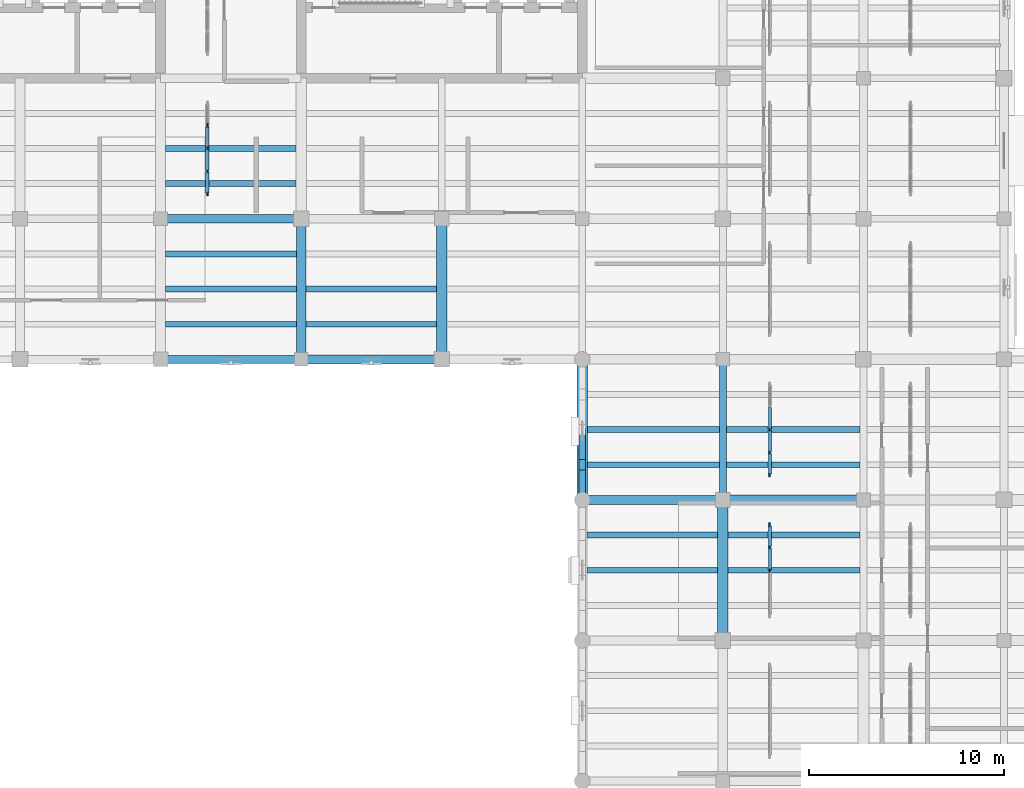
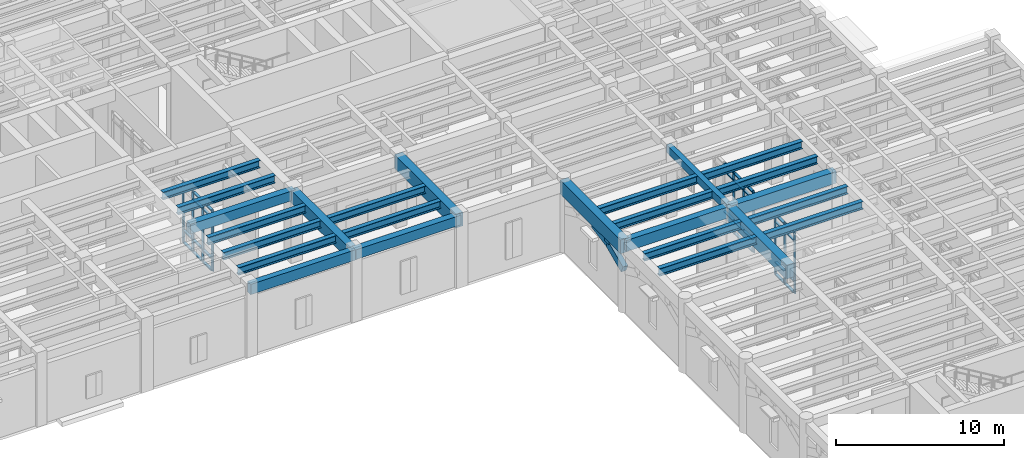
# One storey, part 41 of 100: 43 members, 25 beams, 3 elements without a shape of their own.
"""IFC4 building model written with IfcOpenShell, lengths in metres."""

from ifc_helpers import new_model, si_unit, direction, frame, origin, origin_2d, place, context, subcontext, project, spatial, rectangle, i_section, extrude, material, material_profile, profile_set, type_object, element, aggregate, save


model = new_model("IFC4")

# Units and contexts
model_context = context("Model", 3, precision=1e-05, world=origin(), true_north=direction((0.0, 1.0)))
body_context = subcontext(model_context, "Body", "Model", "MODEL_VIEW")
ifc_project = project(units=[si_unit("LENGTHUNIT", "METRE"), si_unit("AREAUNIT", "SQUARE_METRE"), si_unit("VOLUMEUNIT", "CUBIC_METRE"), si_unit("PLANEANGLEUNIT", "RADIAN"), si_unit("MASSUNIT", "GRAM", prefix="KILO")], contexts=[model_context])

# Site, building, storey
site_placement = place(None, origin())
site = spatial("IfcSite", under=ifc_project, at=site_placement, CompositionType="ELEMENT")
building_placement = place(site_placement, origin())
building = spatial("IfcBuilding", under=site, at=building_placement, Name="Mithqara Police Headquarters", CompositionType="ELEMENT")
storey_placement = place(building_placement, origin())
storey = spatial("IfcBuildingStorey", under=building, at=storey_placement, Name="L00", CompositionType="ELEMENT", Elevation=0.0)

# Members
ifc_material_1 = material(Name="Concrete C50/60", Category="concrete")
ifc_material_profile_1 = material_profile(ifc_material_1, rectangle(XDim=0.35009765625, YDim=0.550048828125, at=origin_2d()), Name="ARC 350x550")
ifc_profile_set_1 = profile_set([ifc_material_profile_1], Name="Concrete C50/60")
member_type_1 = type_object("IfcMemberType", Name="ARCH SEG 350X550", PredefinedType="STRUT", material=ifc_profile_set_1)
member_1_placement = place(storey_placement, frame((144.60009765625, 71.39990234375, 2.949951171875), z_axis=(0.0, 0.911312261811, 0.411715874691), x_axis=(-1.0, 0.0, 0.0)))
element("IfcMember", 1, at=member_1_placement, inside=storey, type_object=member_type_1, Name="East Courtyard Cloister Bay 6 Ottoman Arch Chord 1", PredefinedType="STRUT", context=body_context, shape_type="SweptSolid", body=[
    extrude(rectangle(XDim=0.35009765625, YDim=0.550048828125, at=origin_2d()), origin(), (0.0, 0.0, 1.0), 1.975341796875),
])
member_2_placement = place(storey_placement, frame((144.60009765625, 73.199951171875, 3.76318359375), z_axis=(0.0, 0.982930996603, 0.183974606715), x_axis=(-1.0, 0.0, 0.0)))
element("IfcMember", 2, at=member_2_placement, inside=storey, type_object=member_type_1, Name="East Courtyard Cloister Bay 6 Ottoman Arch Chord 2", PredefinedType="STRUT", context=body_context, shape_type="SweptSolid", body=[
    extrude(rectangle(XDim=0.35009765625, YDim=0.550048828125, at=origin_2d()), origin(), (0.0, 0.0, 1.0), 1.831298828125),
])
member_3_placement = place(storey_placement, frame((144.60009765625, 73.199951171875, 3.76318359375), z_axis=(0.0, 0.0, 1.0), x_axis=(1.0, 0.0, 0.0)))
element("IfcMember", 3, at=member_3_placement, inside=storey, type_object=member_type_1, Name="East Courtyard Cloister Bay 6 Arch Spandrel Post 1", PredefinedType="STRUT", context=body_context, shape_type="SweptSolid", body=[
    extrude(rectangle(XDim=0.35009765625, YDim=0.550048828125, at=origin_2d()), origin(), (0.0, 0.0, 1.0), 0.85693359375),
])

# Beams
ifc_material_2 = material(Name="Steel S355JR", Category="steel")
ifc_material_profile_2 = material_profile(ifc_material_2, i_section(OverallWidth=0.300048828125, OverallDepth=0.550048828125, WebThickness=0.014892578125, FlangeThickness=0.029052734375, FilletRadius=0.027099609375, at=origin_2d()), Name="HEB 550")
ifc_profile_set_2 = profile_set([ifc_material_profile_2], Name="Steel S355JR")
beam_type_1 = type_object("IfcBeamType", Name="BEAM HEB550", PredefinedType="BEAM", material=ifc_profile_set_2)
for number, where, z_axis, x_axis, name in (
    (4, (123.25, 80.39990234375, 4.844970703125), (1.0, 0.0, 0.0), (0.0, 1.0, 0.0), "L00 Composite Steel Joist 18-19/M.1"),
    (5, (123.25, 82.199951171875, 4.844970703125), (1.0, 0.0, 0.0), (0.0, 1.0, 0.0), "L00 Composite Steel Joist 18-19/M.2"),
    (6, (123.25, 84.0, 4.844970703125), (1.0, 0.0, 0.0), (0.0, 1.0, 0.0), "L00 Composite Steel Joist 18-19/M.3"),
):
    element("IfcBeam", number, at=place(storey_placement, frame(where, z_axis=z_axis, x_axis=x_axis)), inside=storey, type_object=beam_type_1, Name=name, PredefinedType="BEAM", context=body_context, shape_type="SweptSolid", body=[
        extrude(i_section(OverallWidth=0.300048828125, OverallDepth=0.550048828125, WebThickness=0.014892578125, FlangeThickness=0.029052734375, FilletRadius=0.027099609375, at=origin_2d()), origin(), (0.0, 0.0, 1.0), 6.699951171875),
    ])
for number, where, z_axis, x_axis, name in (
    (7, (123.25, 87.60009765625, 4.844970703125), (1.0, 0.0, 0.0), (0.0, 1.0, 0.0), "L00 Composite Steel Joist 18-19/N.1"),
    (8, (123.25, 89.39990234375, 4.844970703125), (1.0, 0.0, 0.0), (0.0, 1.0, 0.0), "L00 Composite Steel Joist 18-19/N.2"),
    (9, (130.449951171875, 80.39990234375, 4.844970703125), (1.0, 0.0, 0.0), (0.0, 1.0, 0.0), "L00 Composite Steel Joist 19-20/M.1"),
    (10, (130.449951171875, 82.199951171875, 4.844970703125), (1.0, 0.0, 0.0), (0.0, 1.0, 0.0), "L00 Composite Steel Joist 19-20/M.2"),
):
    element("IfcBeam", number, at=place(storey_placement, frame(where, z_axis=z_axis, x_axis=x_axis)), inside=storey, type_object=beam_type_1, Name=name, PredefinedType="BEAM", context=body_context, shape_type="SweptSolid", body=[
        extrude(i_section(OverallWidth=0.300048828125, OverallDepth=0.550048828125, WebThickness=0.014892578125, FlangeThickness=0.029052734375, FilletRadius=0.027099609375, at=origin_2d()), origin(), (0.0, 0.0, 1.0), 6.675048828125),
    ])
for number, where, z_axis, x_axis, name in (
    (11, (144.85009765625, 67.800048828125, 4.844970703125), (1.0, 0.0, 0.0), (0.0, 1.0, 0.0), "L00 Composite Steel Joist 21-22/K.2"),
    (12, (144.85009765625, 69.60009765625, 4.844970703125), (1.0, 0.0, 0.0), (0.0, 1.0, 0.0), "L00 Composite Steel Joist 21-22/K.3"),
):
    element("IfcBeam", number, at=place(storey_placement, frame(where, z_axis=z_axis, x_axis=x_axis)), inside=storey, type_object=beam_type_1, Name=name, PredefinedType="BEAM", context=body_context, shape_type="SweptSolid", body=[
        extrude(i_section(OverallWidth=0.300048828125, OverallDepth=0.550048828125, WebThickness=0.014892578125, FlangeThickness=0.029052734375, FilletRadius=0.027099609375, at=origin_2d()), origin(), (0.0, 0.0, 1.0), 6.6748046875),
    ])
for number, where, z_axis, x_axis, name in (
    (13, (144.875, 73.199951171875, 4.844970703125), (1.0, 0.0, 0.0), (0.0, 1.0, 0.0), "L00 Composite Steel Joist 21-22/L.1"),
    (14, (144.875, 75.0, 4.844970703125), (1.0, 0.0, 0.0), (0.0, 1.0, 0.0), "L00 Composite Steel Joist 21-22/L.2"),
    (15, (152.074951171875, 67.800048828125, 4.844970703125), (1.0, 0.0, 0.0), (0.0, 1.0, 0.0), "L00 Composite Steel Joist 22-23/K.2"),
    (16, (152.074951171875, 69.60009765625, 4.844970703125), (1.0, 0.0, 0.0), (0.0, 1.0, 0.0), "L00 Composite Steel Joist 22-23/K.3"),
):
    element("IfcBeam", number, at=place(storey_placement, frame(where, z_axis=z_axis, x_axis=x_axis)), inside=storey, type_object=beam_type_1, Name=name, PredefinedType="BEAM", context=body_context, shape_type="SweptSolid", body=[
        extrude(i_section(OverallWidth=0.300048828125, OverallDepth=0.550048828125, WebThickness=0.014892578125, FlangeThickness=0.029052734375, FilletRadius=0.027099609375, at=origin_2d()), origin(), (0.0, 0.0, 1.0), 6.75),
    ])
for number, where, z_axis, x_axis, name in (
    (17, (151.97509765625, 73.199951171875, 4.844970703125), (1.0, 0.0, 0.0), (0.0, 1.0, 0.0), "L00 Composite Steel Joist 22-23/L.1"),
    (18, (151.97509765625, 75.0, 4.844970703125), (1.0, 0.0, 0.0), (0.0, 1.0, 0.0), "L00 Composite Steel Joist 22-23/L.2"),
):
    element("IfcBeam", number, at=place(storey_placement, frame(where, z_axis=z_axis, x_axis=x_axis)), inside=storey, type_object=beam_type_1, Name=name, PredefinedType="BEAM", context=body_context, shape_type="SweptSolid", body=[
        extrude(i_section(OverallWidth=0.300048828125, OverallDepth=0.550048828125, WebThickness=0.014892578125, FlangeThickness=0.029052734375, FilletRadius=0.027099609375, at=origin_2d()), origin(), (0.0, 0.0, 1.0), 6.849853515625),
    ])
ifc_material_3 = material(Name="Concrete C40/50", Category="concrete")
ifc_material_profile_3 = material_profile(ifc_material_3, rectangle(XDim=0.35009765625, YDim=0.550048828125, at=origin_2d()), Name="RC 350x550")
ifc_profile_set_3 = profile_set([ifc_material_profile_3], Name="Concrete C40/50")
beam_type_2 = type_object("IfcBeamType", Name="BEAM RC350X550", PredefinedType="BEAM", material=ifc_profile_set_3)
beam_1_placement = place(storey_placement, frame((151.800048828125, 71.39990234375, 4.844970703125), z_axis=(0.0, 1.0, 0.0), x_axis=(-1.0, 0.0, 0.0)))
element("IfcBeam", 19, at=beam_1_placement, inside=storey, type_object=beam_type_2, Name="L00 Girder 22/L-M", PredefinedType="BEAM", context=body_context, shape_type="SweptSolid", body=[
    extrude(rectangle(XDim=0.35009765625, YDim=0.550048828125, at=origin_2d()), origin(), (0.0, 0.0, 1.0), 7.2001953125),
])
ifc_material_profile_4 = material_profile(ifc_material_3, rectangle(XDim=0.39990234375, YDim=0.75, at=origin_2d()), Name="RC 400x750")
ifc_profile_set_4 = profile_set([ifc_material_profile_4], Name="Concrete C40/50")
beam_type_3 = type_object("IfcBeamType", Name="BEAM RC400X750", PredefinedType="BEAM", material=ifc_profile_set_4)
beam_2_placement = place(storey_placement, frame((123.0, 78.60009765625, 4.7451171875), z_axis=(1.0, 0.0, 0.0), x_axis=(0.0, 1.0, 0.0)))
element("IfcBeam", 20, at=beam_2_placement, inside=storey, type_object=beam_type_3, Name="L00 Girder 18-19/M", PredefinedType="BEAM", context=body_context, shape_type="SweptSolid", body=[
    extrude(rectangle(XDim=0.39990234375, YDim=0.75, at=origin_2d()), origin(), (0.0, 0.0, 1.0), 7.199951171875),
])
ifc_material_profile_5 = material_profile(ifc_material_3, rectangle(XDim=0.449951171875, YDim=0.699951171875, at=origin_2d()), Name="RC 450x700")
ifc_profile_set_5 = profile_set([ifc_material_profile_5], Name="Concrete C40/50")
beam_type_4 = type_object("IfcBeamType", Name="BEAM RC450X700", PredefinedType="BEAM", material=ifc_profile_set_5)
for number, where, z_axis, x_axis, name in (
    (21, (123.0, 85.800048828125, 4.77001953125), (1.0, 0.0, 0.0), (0.0, 1.0, 0.0), "L00 Girder 18-19/N"),
    (22, (130.199951171875, 78.60009765625, 4.77001953125), (1.0, 0.0, 0.0), (0.0, 1.0, 0.0), "L00 Girder 19-20/M"),
):
    element("IfcBeam", number, at=place(storey_placement, frame(where, z_axis=z_axis, x_axis=x_axis)), inside=storey, type_object=beam_type_4, Name=name, PredefinedType="BEAM", context=body_context, shape_type="SweptSolid", body=[
        extrude(rectangle(XDim=0.449951171875, YDim=0.699951171875, at=origin_2d()), origin(), (0.0, 0.0, 1.0), 7.199951171875),
    ])
ifc_material_profile_6 = material_profile(ifc_material_3, rectangle(XDim=0.449951171875, YDim=0.800048828125, at=origin_2d()), Name="RC 450x800")
ifc_profile_set_6 = profile_set([ifc_material_profile_6], Name="Concrete C40/50")
beam_type_5 = type_object("IfcBeamType", Name="BEAM RC450X800", PredefinedType="BEAM", material=ifc_profile_set_6)
beam_3_placement = place(storey_placement, frame((144.60009765625, 71.39990234375, 4.719970703125), z_axis=(1.0, 0.0, 0.0), x_axis=(0.0, 1.0, 0.0)))
element("IfcBeam", 23, at=beam_3_placement, inside=storey, type_object=beam_type_5, Name="L00 Girder 21-22/L", PredefinedType="BEAM", context=body_context, shape_type="SweptSolid", body=[
    extrude(rectangle(XDim=0.449951171875, YDim=0.800048828125, at=origin_2d()), origin(), (0.0, 0.0, 1.0), 7.199951171875),
])
ifc_material_profile_7 = material_profile(ifc_material_3, rectangle(XDim=0.5, YDim=0.85009765625, at=origin_2d()), Name="RC 500x850")
ifc_profile_set_7 = profile_set([ifc_material_profile_7], Name="Concrete C40/50")
beam_type_6 = type_object("IfcBeamType", Name="BEAM RC500X850", PredefinedType="BEAM", material=ifc_profile_set_7)
beam_4_placement = place(storey_placement, frame((151.800048828125, 71.39990234375, 4.695068359375), z_axis=(1.0, 0.0, 0.0), x_axis=(0.0, 1.0, 0.0)))
element("IfcBeam", 24, at=beam_4_placement, inside=storey, type_object=beam_type_6, Name="L00 Girder 22-23/L", PredefinedType="BEAM", context=body_context, shape_type="SweptSolid", body=[
    extrude(rectangle(XDim=0.5, YDim=0.85009765625, at=origin_2d()), origin(), (0.0, 0.0, 1.0), 7.199951171875),
])
ifc_material_profile_8 = material_profile(ifc_material_1, rectangle(XDim=0.5, YDim=0.89990234375, at=origin_2d()), Name="RC 500x900")
ifc_profile_set_8 = profile_set([ifc_material_profile_8], Name="Concrete C50/60")
beam_type_7 = type_object("IfcBeamType", Name="BEAM RC500X900", PredefinedType="BEAM", material=ifc_profile_set_8)
beam_5_placement = place(storey_placement, frame((130.199951171875, 78.60009765625, 4.669921875), z_axis=(0.0, 1.0, 0.0), x_axis=(-1.0, 0.0, 0.0)))
element("IfcBeam", 25, at=beam_5_placement, inside=storey, type_object=beam_type_7, Name="L00 Girder 19/M-N", PredefinedType="BEAM", context=body_context, shape_type="SweptSolid", body=[
    extrude(rectangle(XDim=0.5, YDim=0.89990234375, at=origin_2d()), origin(), (0.0, 0.0, 1.0), 7.199951171875),
])
ifc_material_profile_9 = material_profile(ifc_material_1, rectangle(XDim=0.550048828125, YDim=1.0, at=origin_2d()), Name="RC 550x1000")
ifc_profile_set_9 = profile_set([ifc_material_profile_9], Name="Concrete C50/60")
beam_type_8 = type_object("IfcBeamType", Name="BEAM RC550X1000", PredefinedType="BEAM", material=ifc_profile_set_9)
beam_6_placement = place(storey_placement, frame((137.39990234375, 78.60009765625, 4.6201171875), z_axis=(0.0, 1.0, 0.0), x_axis=(-1.0, 0.0, 0.0)))
element("IfcBeam", 26, at=beam_6_placement, inside=storey, type_object=beam_type_8, Name="L00 Girder 20/M-N", PredefinedType="BEAM", context=body_context, shape_type="SweptSolid", body=[
    extrude(rectangle(XDim=0.550048828125, YDim=1.0, at=origin_2d()), origin(), (0.0, 0.0, 1.0), 7.199951171875),
])
beam_7_placement = place(storey_placement, frame((144.60009765625, 71.39990234375, 4.6201171875), z_axis=(0.0, 1.0, 0.0), x_axis=(-1.0, 0.0, 0.0)))
element("IfcBeam", 27, at=beam_7_placement, inside=storey, type_object=beam_type_8, Name="L00 Girder 21/L-M", PredefinedType="BEAM", context=body_context, shape_type="SweptSolid", body=[
    extrude(rectangle(XDim=0.550048828125, YDim=1.0, at=origin_2d()), origin(), (0.0, 0.0, 1.0), 7.2001953125),
])
beam_8_placement = place(storey_placement, frame((151.800048828125, 64.199951171875, 4.6201171875), z_axis=(0.0, 1.0, 0.0), x_axis=(-1.0, 0.0, 0.0)))
element("IfcBeam", 28, at=beam_8_placement, inside=storey, type_object=beam_type_8, Name="L00 Girder 22/K-L", PredefinedType="BEAM", context=body_context, shape_type="SweptSolid", body=[
    extrude(rectangle(XDim=0.550048828125, YDim=1.0, at=origin_2d()), origin(), (0.0, 0.0, 1.0), 7.199951171875),
])

# Curtain wall, members
ifc_material_4 = material(Name="Bronze anodised aluminium 6063-T6", Category="aluminium")
curtain_wall_type = type_object("IfcCurtainWallType", Name="CURTAIN WALL 4700X4400", PredefinedType="USERDEFINED", material=ifc_material_4)
curtain_wall_1_placement = place(storey_placement, origin())
curtain_wall_1 = element("IfcCurtainWall", 29, at=curtain_wall_1_placement, inside=storey, type_object=curtain_wall_type, Name="L00 Unitised Glazing CW-14 (CW-INT-L00-X17-Y12-0)", ObjectType="UNITISED GLAZING", PredefinedType="USERDEFINED")
ifc_material_profile_10 = material_profile(ifc_material_4, rectangle(XDim=0.074951171875, YDim=0.219970703125, at=origin_2d()), Name="CWM 75x220")
ifc_profile_set_10 = profile_set([ifc_material_profile_10], Name="Bronze anodised aluminium 6063-T6")
member_type_2 = type_object("IfcMemberType", Name="CWMULLION 75X220", PredefinedType="MULLION", material=ifc_profile_set_10)
member_4_placement = place(storey_placement, frame((125.39990234375, 87.08740234375, 0.0), z_axis=(0.0, 0.0, 1.0), x_axis=(-1.0, 0.0, 0.0)))
member_4 = element("IfcMember", 30, at=member_4_placement, type_object=member_type_2, Name="CW-14 mullion 1", PredefinedType="MULLION", context=body_context, shape_type="SweptSolid", body=[
    extrude(rectangle(XDim=0.074951171875, YDim=0.219970703125, at=origin_2d()), origin(), (0.0, 0.0, 1.0), 4.39990234375),
])
member_5_placement = place(storey_placement, frame((125.39990234375, 88.22509765625, 0.0), z_axis=(0.0, 0.0, 1.0), x_axis=(-1.0, 0.0, 0.0)))
member_5 = element("IfcMember", 31, at=member_5_placement, type_object=member_type_2, Name="CW-14 mullion 2", PredefinedType="MULLION", context=body_context, shape_type="SweptSolid", body=[
    extrude(rectangle(XDim=0.074951171875, YDim=0.219970703125, at=origin_2d()), origin(), (0.0, 0.0, 1.0), 4.39990234375),
])
member_6_placement = place(storey_placement, frame((125.39990234375, 89.39990234375, 0.0), z_axis=(0.0, 0.0, 1.0), x_axis=(-1.0, 0.0, 0.0)))
member_6 = element("IfcMember", 32, at=member_6_placement, type_object=member_type_2, Name="CW-14 mullion 3", PredefinedType="MULLION", context=body_context, shape_type="SweptSolid", body=[
    extrude(rectangle(XDim=0.074951171875, YDim=0.219970703125, at=origin_2d()), origin(), (0.0, 0.0, 1.0), 4.39990234375),
])
member_7_placement = place(storey_placement, frame((125.39990234375, 90.574951171875, 0.0), z_axis=(0.0, 0.0, 1.0), x_axis=(-1.0, 0.0, 0.0)))
member_7 = element("IfcMember", 33, at=member_7_placement, type_object=member_type_2, Name="CW-14 mullion 4", PredefinedType="MULLION", context=body_context, shape_type="SweptSolid", body=[
    extrude(rectangle(XDim=0.074951171875, YDim=0.219970703125, at=origin_2d()), origin(), (0.0, 0.0, 1.0), 4.39990234375),
])

curtain_wall_2_placement = place(storey_placement, origin())
curtain_wall_2 = element("IfcCurtainWall", 34, at=curtain_wall_2_placement, inside=storey, type_object=curtain_wall_type, Name="L00 Unitised Glazing CW-14 (CW-INT-L00-X21-Y09-0)", ObjectType="UNITISED GLAZING", PredefinedType="USERDEFINED")
member_8_placement = place(storey_placement, frame((154.199951171875, 67.800048828125, 0.0), z_axis=(0.0, 0.0, 1.0), x_axis=(-1.0, 0.0, 0.0)))
member_8 = element("IfcMember", 35, at=member_8_placement, type_object=member_type_2, Name="CW-14 mullion 3", PredefinedType="MULLION", context=body_context, shape_type="SweptSolid", body=[
    extrude(rectangle(XDim=0.074951171875, YDim=0.219970703125, at=origin_2d()), origin(), (0.0, 0.0, 1.0), 4.39990234375),
])
member_9_placement = place(storey_placement, frame((154.199951171875, 68.97509765625, 0.0), z_axis=(0.0, 0.0, 1.0), x_axis=(-1.0, 0.0, 0.0)))
member_9 = element("IfcMember", 36, at=member_9_placement, type_object=member_type_2, Name="CW-14 mullion 4", PredefinedType="MULLION", context=body_context, shape_type="SweptSolid", body=[
    extrude(rectangle(XDim=0.074951171875, YDim=0.219970703125, at=origin_2d()), origin(), (0.0, 0.0, 1.0), 4.39990234375),
])
member_10_placement = place(storey_placement, frame((154.199951171875, 70.112548828125, 0.0), z_axis=(0.0, 0.0, 1.0), x_axis=(-1.0, 0.0, 0.0)))
member_10 = element("IfcMember", 37, at=member_10_placement, type_object=member_type_2, Name="CW-14 mullion 5", PredefinedType="MULLION", context=body_context, shape_type="SweptSolid", body=[
    extrude(rectangle(XDim=0.074951171875, YDim=0.219970703125, at=origin_2d()), origin(), (0.0, 0.0, 1.0), 4.39990234375),
])

curtain_wall_3_placement = place(storey_placement, origin())
curtain_wall_3 = element("IfcCurtainWall", 38, at=curtain_wall_3_placement, inside=storey, type_object=curtain_wall_type, Name="L00 Unitised Glazing CW-14 (CW-INT-L00-X21-Y10-0)", ObjectType="UNITISED GLAZING", PredefinedType="USERDEFINED")
member_11_placement = place(storey_placement, frame((154.199951171875, 72.6875, 0.0), z_axis=(0.0, 0.0, 1.0), x_axis=(-1.0, 0.0, 0.0)))
member_11 = element("IfcMember", 39, at=member_11_placement, type_object=member_type_2, Name="CW-14 mullion 1", PredefinedType="MULLION", context=body_context, shape_type="SweptSolid", body=[
    extrude(rectangle(XDim=0.074951171875, YDim=0.219970703125, at=origin_2d()), origin(), (0.0, 0.0, 1.0), 4.39990234375),
])
member_12_placement = place(storey_placement, frame((154.199951171875, 73.824951171875, 0.0), z_axis=(0.0, 0.0, 1.0), x_axis=(-1.0, 0.0, 0.0)))
member_12 = element("IfcMember", 40, at=member_12_placement, type_object=member_type_2, Name="CW-14 mullion 2", PredefinedType="MULLION", context=body_context, shape_type="SweptSolid", body=[
    extrude(rectangle(XDim=0.074951171875, YDim=0.219970703125, at=origin_2d()), origin(), (0.0, 0.0, 1.0), 4.39990234375),
])
member_13_placement = place(storey_placement, frame((154.199951171875, 75.0, 0.0), z_axis=(0.0, 0.0, 1.0), x_axis=(-1.0, 0.0, 0.0)))
member_13 = element("IfcMember", 41, at=member_13_placement, type_object=member_type_2, Name="CW-14 mullion 3", PredefinedType="MULLION", context=body_context, shape_type="SweptSolid", body=[
    extrude(rectangle(XDim=0.074951171875, YDim=0.219970703125, at=origin_2d()), origin(), (0.0, 0.0, 1.0), 4.39990234375),
])

# Member
ifc_material_profile_11 = material_profile(ifc_material_4, rectangle(XDim=0.179931640625, YDim=0.074951171875, at=origin_2d()), Name="CWT 180x75")
ifc_profile_set_11 = profile_set([ifc_material_profile_11], Name="Bronze anodised aluminium 6063-T6")
member_type_3 = type_object("IfcMemberType", Name="CWTRANSOM 180X75", PredefinedType="USERDEFINED", material=ifc_profile_set_11)
member_14_placement = place(storey_placement, frame((125.39990234375, 87.125, 0.03759765625), z_axis=(0.0, 1.0, 0.0), x_axis=(-1.0, 0.0, 0.0)))
member_14 = element("IfcMember", 42, at=member_14_placement, type_object=member_type_3, Name="CW-14 transom 1.1", ObjectType="TRANSOM", PredefinedType="USERDEFINED", context=body_context, shape_type="SweptSolid", body=[
    extrude(rectangle(XDim=0.179931640625, YDim=0.074951171875, at=origin_2d()), origin(), (0.0, 0.0, 1.0), 1.0625),
])

member_15_placement = place(storey_placement, frame((125.39990234375, 87.125, 0.89990234375), z_axis=(0.0, 1.0, 0.0), x_axis=(-1.0, 0.0, 0.0)))
member_15 = element("IfcMember", 43, at=member_15_placement, type_object=member_type_3, Name="CW-14 transom 1.2", ObjectType="TRANSOM", PredefinedType="USERDEFINED", context=body_context, shape_type="SweptSolid", body=[
    extrude(rectangle(XDim=0.179931640625, YDim=0.074951171875, at=origin_2d()), origin(), (0.0, 0.0, 1.0), 1.0625),
])

member_16_placement = place(storey_placement, frame((125.39990234375, 87.125, 3.85009765625), z_axis=(0.0, 1.0, 0.0), x_axis=(-1.0, 0.0, 0.0)))
member_16 = element("IfcMember", 44, at=member_16_placement, type_object=member_type_3, Name="CW-14 transom 1.3", ObjectType="TRANSOM", PredefinedType="USERDEFINED", context=body_context, shape_type="SweptSolid", body=[
    extrude(rectangle(XDim=0.179931640625, YDim=0.074951171875, at=origin_2d()), origin(), (0.0, 0.0, 1.0), 1.0625),
])

member_17_placement = place(storey_placement, frame((125.39990234375, 87.125, 4.362548828125), z_axis=(0.0, 1.0, 0.0), x_axis=(-1.0, 0.0, 0.0)))
member_17 = element("IfcMember", 45, at=member_17_placement, type_object=member_type_3, Name="CW-14 transom 1.4", ObjectType="TRANSOM", PredefinedType="USERDEFINED", context=body_context, shape_type="SweptSolid", body=[
    extrude(rectangle(XDim=0.179931640625, YDim=0.074951171875, at=origin_2d()), origin(), (0.0, 0.0, 1.0), 1.0625),
])

member_18_placement = place(storey_placement, frame((125.39990234375, 88.262451171875, 0.03759765625), z_axis=(0.0, 1.0, 0.0), x_axis=(-1.0, 0.0, 0.0)))
member_18 = element("IfcMember", 46, at=member_18_placement, type_object=member_type_3, Name="CW-14 transom 2.1", ObjectType="TRANSOM", PredefinedType="USERDEFINED", context=body_context, shape_type="SweptSolid", body=[
    extrude(rectangle(XDim=0.179931640625, YDim=0.074951171875, at=origin_2d()), origin(), (0.0, 0.0, 1.0), 1.10009765625),
])

member_19_placement = place(storey_placement, frame((125.39990234375, 88.262451171875, 0.89990234375), z_axis=(0.0, 1.0, 0.0), x_axis=(-1.0, 0.0, 0.0)))
member_19 = element("IfcMember", 47, at=member_19_placement, type_object=member_type_3, Name="CW-14 transom 2.2", ObjectType="TRANSOM", PredefinedType="USERDEFINED", context=body_context, shape_type="SweptSolid", body=[
    extrude(rectangle(XDim=0.179931640625, YDim=0.074951171875, at=origin_2d()), origin(), (0.0, 0.0, 1.0), 1.10009765625),
])

member_20_placement = place(storey_placement, frame((125.39990234375, 88.262451171875, 3.85009765625), z_axis=(0.0, 1.0, 0.0), x_axis=(-1.0, 0.0, 0.0)))
member_20 = element("IfcMember", 48, at=member_20_placement, type_object=member_type_3, Name="CW-14 transom 2.3", ObjectType="TRANSOM", PredefinedType="USERDEFINED", context=body_context, shape_type="SweptSolid", body=[
    extrude(rectangle(XDim=0.179931640625, YDim=0.074951171875, at=origin_2d()), origin(), (0.0, 0.0, 1.0), 1.10009765625),
])

member_21_placement = place(storey_placement, frame((125.39990234375, 88.262451171875, 4.362548828125), z_axis=(0.0, 1.0, 0.0), x_axis=(-1.0, 0.0, 0.0)))
member_21 = element("IfcMember", 49, at=member_21_placement, type_object=member_type_3, Name="CW-14 transom 2.4", ObjectType="TRANSOM", PredefinedType="USERDEFINED", context=body_context, shape_type="SweptSolid", body=[
    extrude(rectangle(XDim=0.179931640625, YDim=0.074951171875, at=origin_2d()), origin(), (0.0, 0.0, 1.0), 1.10009765625),
])

member_22_placement = place(storey_placement, frame((125.39990234375, 89.4375, 0.03759765625), z_axis=(0.0, 1.0, 0.0), x_axis=(-1.0, 0.0, 0.0)))
member_22 = element("IfcMember", 50, at=member_22_placement, type_object=member_type_3, Name="CW-14 transom 3.1", ObjectType="TRANSOM", PredefinedType="USERDEFINED", context=body_context, shape_type="SweptSolid", body=[
    extrude(rectangle(XDim=0.179931640625, YDim=0.074951171875, at=origin_2d()), origin(), (0.0, 0.0, 1.0), 1.10009765625),
])

member_23_placement = place(storey_placement, frame((125.39990234375, 89.4375, 0.89990234375), z_axis=(0.0, 1.0, 0.0), x_axis=(-1.0, 0.0, 0.0)))
member_23 = element("IfcMember", 51, at=member_23_placement, type_object=member_type_3, Name="CW-14 transom 3.2", ObjectType="TRANSOM", PredefinedType="USERDEFINED", context=body_context, shape_type="SweptSolid", body=[
    extrude(rectangle(XDim=0.179931640625, YDim=0.074951171875, at=origin_2d()), origin(), (0.0, 0.0, 1.0), 1.10009765625),
])

aggregate(curtain_wall_1, [member_4, member_5, member_6, member_7, member_14, member_15, member_16, member_17, member_18, member_19, member_20, member_21, member_22, member_23])

member_24_placement = place(storey_placement, frame((154.199951171875, 67.83740234375, 0.03759765625), z_axis=(0.0, 1.0, 0.0), x_axis=(-1.0, 0.0, 0.0)))
member_24 = element("IfcMember", 52, at=member_24_placement, type_object=member_type_3, Name="CW-14 transom 3.1", ObjectType="TRANSOM", PredefinedType="USERDEFINED", context=body_context, shape_type="SweptSolid", body=[
    extrude(rectangle(XDim=0.179931640625, YDim=0.074951171875, at=origin_2d()), origin(), (0.0, 0.0, 1.0), 1.10009765625),
])

member_25_placement = place(storey_placement, frame((154.199951171875, 67.83740234375, 0.89990234375), z_axis=(0.0, 1.0, 0.0), x_axis=(-1.0, 0.0, 0.0)))
member_25 = element("IfcMember", 53, at=member_25_placement, type_object=member_type_3, Name="CW-14 transom 3.2", ObjectType="TRANSOM", PredefinedType="USERDEFINED", context=body_context, shape_type="SweptSolid", body=[
    extrude(rectangle(XDim=0.179931640625, YDim=0.074951171875, at=origin_2d()), origin(), (0.0, 0.0, 1.0), 1.10009765625),
])

member_26_placement = place(storey_placement, frame((154.199951171875, 67.83740234375, 3.85009765625), z_axis=(0.0, 1.0, 0.0), x_axis=(-1.0, 0.0, 0.0)))
member_26 = element("IfcMember", 54, at=member_26_placement, type_object=member_type_3, Name="CW-14 transom 3.3", ObjectType="TRANSOM", PredefinedType="USERDEFINED", context=body_context, shape_type="SweptSolid", body=[
    extrude(rectangle(XDim=0.179931640625, YDim=0.074951171875, at=origin_2d()), origin(), (0.0, 0.0, 1.0), 1.10009765625),
])

member_27_placement = place(storey_placement, frame((154.199951171875, 67.83740234375, 4.362548828125), z_axis=(0.0, 1.0, 0.0), x_axis=(-1.0, 0.0, 0.0)))
member_27 = element("IfcMember", 55, at=member_27_placement, type_object=member_type_3, Name="CW-14 transom 3.4", ObjectType="TRANSOM", PredefinedType="USERDEFINED", context=body_context, shape_type="SweptSolid", body=[
    extrude(rectangle(XDim=0.179931640625, YDim=0.074951171875, at=origin_2d()), origin(), (0.0, 0.0, 1.0), 1.10009765625),
])

member_28_placement = place(storey_placement, frame((154.199951171875, 69.012451171875, 0.03759765625), z_axis=(0.0, 1.0, 0.0), x_axis=(-1.0, 0.0, 0.0)))
member_28 = element("IfcMember", 56, at=member_28_placement, type_object=member_type_3, Name="CW-14 transom 4.1", ObjectType="TRANSOM", PredefinedType="USERDEFINED", context=body_context, shape_type="SweptSolid", body=[
    extrude(rectangle(XDim=0.179931640625, YDim=0.074951171875, at=origin_2d()), origin(), (0.0, 0.0, 1.0), 1.0625),
])

member_29_placement = place(storey_placement, frame((154.199951171875, 69.012451171875, 0.89990234375), z_axis=(0.0, 1.0, 0.0), x_axis=(-1.0, 0.0, 0.0)))
member_29 = element("IfcMember", 57, at=member_29_placement, type_object=member_type_3, Name="CW-14 transom 4.2", ObjectType="TRANSOM", PredefinedType="USERDEFINED", context=body_context, shape_type="SweptSolid", body=[
    extrude(rectangle(XDim=0.179931640625, YDim=0.074951171875, at=origin_2d()), origin(), (0.0, 0.0, 1.0), 1.0625),
])

member_30_placement = place(storey_placement, frame((154.199951171875, 69.012451171875, 3.85009765625), z_axis=(0.0, 1.0, 0.0), x_axis=(-1.0, 0.0, 0.0)))
member_30 = element("IfcMember", 58, at=member_30_placement, type_object=member_type_3, Name="CW-14 transom 4.3", ObjectType="TRANSOM", PredefinedType="USERDEFINED", context=body_context, shape_type="SweptSolid", body=[
    extrude(rectangle(XDim=0.179931640625, YDim=0.074951171875, at=origin_2d()), origin(), (0.0, 0.0, 1.0), 1.0625),
])

member_31_placement = place(storey_placement, frame((154.199951171875, 69.012451171875, 4.362548828125), z_axis=(0.0, 1.0, 0.0), x_axis=(-1.0, 0.0, 0.0)))
member_31 = element("IfcMember", 59, at=member_31_placement, type_object=member_type_3, Name="CW-14 transom 4.4", ObjectType="TRANSOM", PredefinedType="USERDEFINED", context=body_context, shape_type="SweptSolid", body=[
    extrude(rectangle(XDim=0.179931640625, YDim=0.074951171875, at=origin_2d()), origin(), (0.0, 0.0, 1.0), 1.0625),
])

aggregate(curtain_wall_2, [member_8, member_9, member_10, member_24, member_25, member_26, member_27, member_28, member_29, member_30, member_31])

member_32_placement = place(storey_placement, frame((154.199951171875, 72.72509765625, 0.03759765625), z_axis=(0.0, 1.0, 0.0), x_axis=(-1.0, 0.0, 0.0)))
member_32 = element("IfcMember", 60, at=member_32_placement, type_object=member_type_3, Name="CW-14 transom 1.1", ObjectType="TRANSOM", PredefinedType="USERDEFINED", context=body_context, shape_type="SweptSolid", body=[
    extrude(rectangle(XDim=0.179931640625, YDim=0.074951171875, at=origin_2d()), origin(), (0.0, 0.0, 1.0), 1.0625),
])

member_33_placement = place(storey_placement, frame((154.199951171875, 72.72509765625, 0.89990234375), z_axis=(0.0, 1.0, 0.0), x_axis=(-1.0, 0.0, 0.0)))
member_33 = element("IfcMember", 61, at=member_33_placement, type_object=member_type_3, Name="CW-14 transom 1.2", ObjectType="TRANSOM", PredefinedType="USERDEFINED", context=body_context, shape_type="SweptSolid", body=[
    extrude(rectangle(XDim=0.179931640625, YDim=0.074951171875, at=origin_2d()), origin(), (0.0, 0.0, 1.0), 1.0625),
])

member_34_placement = place(storey_placement, frame((154.199951171875, 72.72509765625, 3.85009765625), z_axis=(0.0, 1.0, 0.0), x_axis=(-1.0, 0.0, 0.0)))
member_34 = element("IfcMember", 62, at=member_34_placement, type_object=member_type_3, Name="CW-14 transom 1.3", ObjectType="TRANSOM", PredefinedType="USERDEFINED", context=body_context, shape_type="SweptSolid", body=[
    extrude(rectangle(XDim=0.179931640625, YDim=0.074951171875, at=origin_2d()), origin(), (0.0, 0.0, 1.0), 1.0625),
])

member_35_placement = place(storey_placement, frame((154.199951171875, 72.72509765625, 4.362548828125), z_axis=(0.0, 1.0, 0.0), x_axis=(-1.0, 0.0, 0.0)))
member_35 = element("IfcMember", 63, at=member_35_placement, type_object=member_type_3, Name="CW-14 transom 1.4", ObjectType="TRANSOM", PredefinedType="USERDEFINED", context=body_context, shape_type="SweptSolid", body=[
    extrude(rectangle(XDim=0.179931640625, YDim=0.074951171875, at=origin_2d()), origin(), (0.0, 0.0, 1.0), 1.0625),
])

member_36_placement = place(storey_placement, frame((154.199951171875, 73.862548828125, 0.03759765625), z_axis=(0.0, 1.0, 0.0), x_axis=(-1.0, 0.0, 0.0)))
member_36 = element("IfcMember", 64, at=member_36_placement, type_object=member_type_3, Name="CW-14 transom 2.1", ObjectType="TRANSOM", PredefinedType="USERDEFINED", context=body_context, shape_type="SweptSolid", body=[
    extrude(rectangle(XDim=0.179931640625, YDim=0.074951171875, at=origin_2d()), origin(), (0.0, 0.0, 1.0), 1.099853515625),
])

member_37_placement = place(storey_placement, frame((154.199951171875, 73.862548828125, 0.89990234375), z_axis=(0.0, 1.0, 0.0), x_axis=(-1.0, 0.0, 0.0)))
member_37 = element("IfcMember", 65, at=member_37_placement, type_object=member_type_3, Name="CW-14 transom 2.2", ObjectType="TRANSOM", PredefinedType="USERDEFINED", context=body_context, shape_type="SweptSolid", body=[
    extrude(rectangle(XDim=0.179931640625, YDim=0.074951171875, at=origin_2d()), origin(), (0.0, 0.0, 1.0), 1.099853515625),
])

member_38_placement = place(storey_placement, frame((154.199951171875, 73.862548828125, 3.85009765625), z_axis=(0.0, 1.0, 0.0), x_axis=(-1.0, 0.0, 0.0)))
member_38 = element("IfcMember", 66, at=member_38_placement, type_object=member_type_3, Name="CW-14 transom 2.3", ObjectType="TRANSOM", PredefinedType="USERDEFINED", context=body_context, shape_type="SweptSolid", body=[
    extrude(rectangle(XDim=0.179931640625, YDim=0.074951171875, at=origin_2d()), origin(), (0.0, 0.0, 1.0), 1.099853515625),
])

member_39_placement = place(storey_placement, frame((154.199951171875, 73.862548828125, 4.362548828125), z_axis=(0.0, 1.0, 0.0), x_axis=(-1.0, 0.0, 0.0)))
member_39 = element("IfcMember", 67, at=member_39_placement, type_object=member_type_3, Name="CW-14 transom 2.4", ObjectType="TRANSOM", PredefinedType="USERDEFINED", context=body_context, shape_type="SweptSolid", body=[
    extrude(rectangle(XDim=0.179931640625, YDim=0.074951171875, at=origin_2d()), origin(), (0.0, 0.0, 1.0), 1.099853515625),
])

member_40_placement = place(storey_placement, frame((154.199951171875, 75.03759765625, 0.03759765625), z_axis=(0.0, 1.0, 0.0), x_axis=(-1.0, 0.0, 0.0)))
member_40 = element("IfcMember", 68, at=member_40_placement, type_object=member_type_3, Name="CW-14 transom 3.1", ObjectType="TRANSOM", PredefinedType="USERDEFINED", context=body_context, shape_type="SweptSolid", body=[
    extrude(rectangle(XDim=0.179931640625, YDim=0.074951171875, at=origin_2d()), origin(), (0.0, 0.0, 1.0), 1.099853515625),
])

member_41_placement = place(storey_placement, frame((154.199951171875, 75.03759765625, 0.89990234375), z_axis=(0.0, 1.0, 0.0), x_axis=(-1.0, 0.0, 0.0)))
member_41 = element("IfcMember", 69, at=member_41_placement, type_object=member_type_3, Name="CW-14 transom 3.2", ObjectType="TRANSOM", PredefinedType="USERDEFINED", context=body_context, shape_type="SweptSolid", body=[
    extrude(rectangle(XDim=0.179931640625, YDim=0.074951171875, at=origin_2d()), origin(), (0.0, 0.0, 1.0), 1.099853515625),
])

member_42_placement = place(storey_placement, frame((154.199951171875, 75.03759765625, 3.85009765625), z_axis=(0.0, 1.0, 0.0), x_axis=(-1.0, 0.0, 0.0)))
member_42 = element("IfcMember", 70, at=member_42_placement, type_object=member_type_3, Name="CW-14 transom 3.3", ObjectType="TRANSOM", PredefinedType="USERDEFINED", context=body_context, shape_type="SweptSolid", body=[
    extrude(rectangle(XDim=0.179931640625, YDim=0.074951171875, at=origin_2d()), origin(), (0.0, 0.0, 1.0), 1.099853515625),
])

member_43_placement = place(storey_placement, frame((154.199951171875, 75.03759765625, 4.362548828125), z_axis=(0.0, 1.0, 0.0), x_axis=(-1.0, 0.0, 0.0)))
member_43 = element("IfcMember", 71, at=member_43_placement, type_object=member_type_3, Name="CW-14 transom 3.4", ObjectType="TRANSOM", PredefinedType="USERDEFINED", context=body_context, shape_type="SweptSolid", body=[
    extrude(rectangle(XDim=0.179931640625, YDim=0.074951171875, at=origin_2d()), origin(), (0.0, 0.0, 1.0), 1.099853515625),
])

aggregate(curtain_wall_3, [member_11, member_12, member_13, member_32, member_33, member_34, member_35, member_36, member_37, member_38, member_39, member_40, member_41, member_42, member_43])

save(model, "model.ifc")
